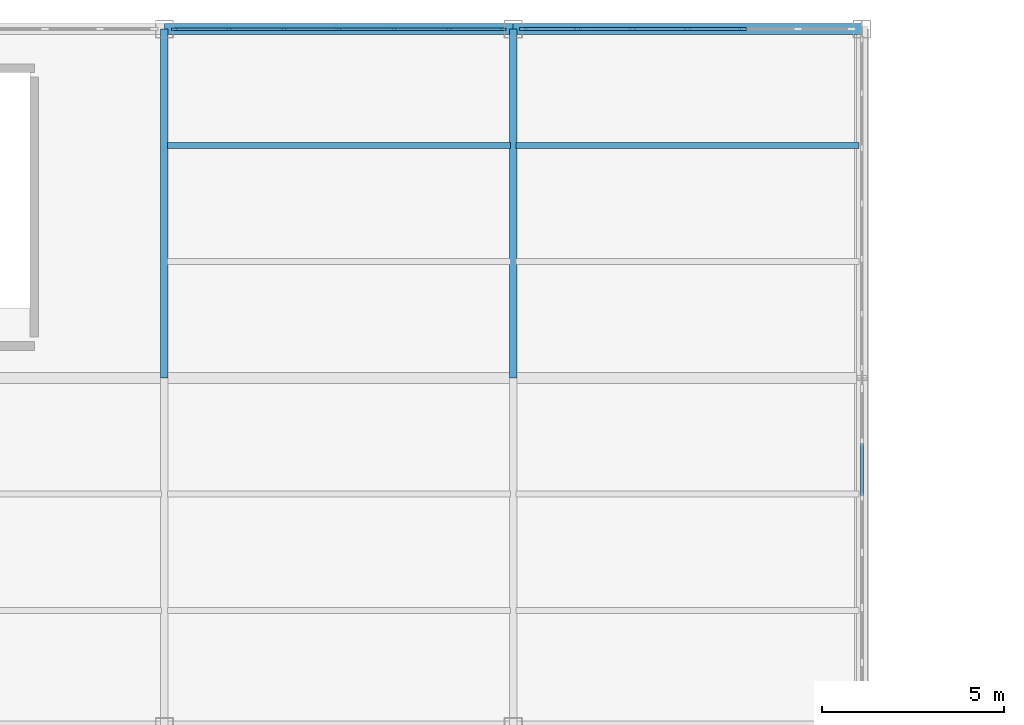
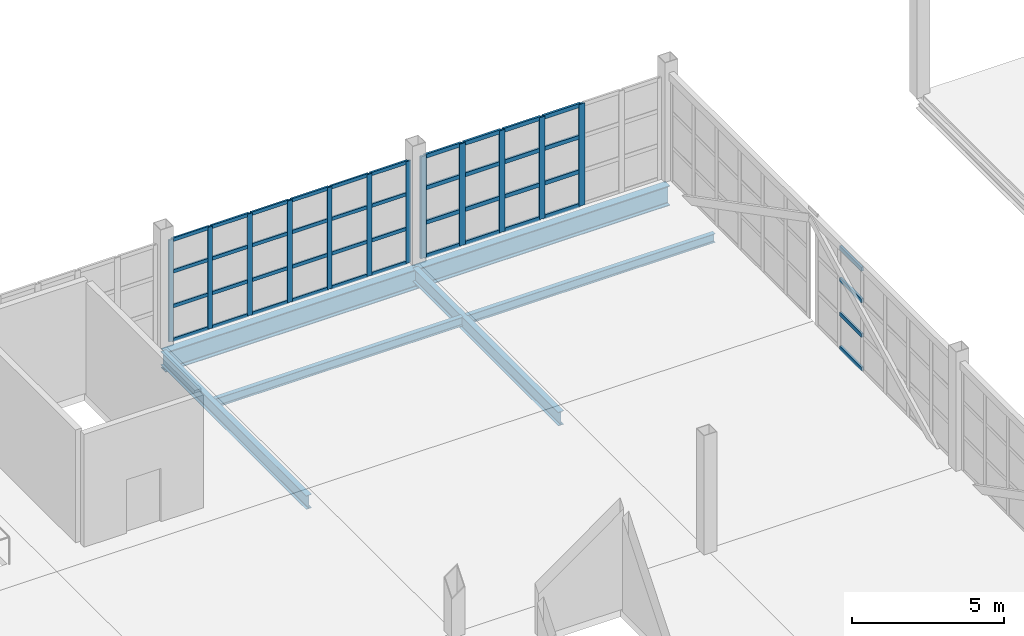
# One storey, part 56 of 120: 56 members, 6 beams, 3 elements without a shape of their own.
"""IFC4 building model written with IfcOpenShell, lengths in metres."""

from ifc_helpers import new_model, si_unit, direction, frame, origin, origin_2d, place, context, subcontext, project, spatial, rectangle, i_section, extrude, material, layer, layer_set, material_profile, profile_set, type_object, element, aggregate, save


model = new_model("IFC4")

# Units and contexts
model_context = context("Model", 3, precision=1e-05, world=origin(), true_north=direction((0.0, 1.0)))
body_context = subcontext(model_context, "Body", "Model", "MODEL_VIEW")
ifc_project = project(units=[si_unit("LENGTHUNIT", "METRE"), si_unit("AREAUNIT", "SQUARE_METRE"), si_unit("VOLUMEUNIT", "CUBIC_METRE"), si_unit("PLANEANGLEUNIT", "RADIAN"), si_unit("MASSUNIT", "GRAM", prefix="KILO")], contexts=[model_context])

# Site, building, storey
site_placement = place(None, origin())
site = spatial("IfcSite", under=ifc_project, at=site_placement, CompositionType="ELEMENT")
building_placement = place(site_placement, origin())
building = spatial("IfcBuilding", under=site, at=building_placement, Name="Zarnetskaya Central Station", CompositionType="ELEMENT")
storey_placement = place(building_placement, frame((0.0, 0.0, 5.39990234375)))
storey = spatial("IfcBuildingStorey", under=building, at=storey_placement, Name="L01", CompositionType="ELEMENT", Elevation=5.39990234375)

# Beams
ifc_material_1 = material(Name="Steel S355", Category="steel")
ifc_material_profile_1 = material_profile(ifc_material_1, i_section(OverallWidth=0.169921875, OverallDepth=0.360107421875, WebThickness=0.008056640625, FlangeThickness=0.0126953125, FilletRadius=0.01806640625, at=origin_2d()), Name="IPE 360")
ifc_profile_set_1 = profile_set([ifc_material_profile_1], Name="Steel S355")
beam_type_1 = type_object("IfcBeamType", Name="BM-SEC-360", PredefinedType="BEAM", material=ifc_profile_set_1)
beam_1_placement = place(storey_placement, frame((96.080078125, 121.60009765625, -0.4599609375), z_axis=(1.0, 0.0, 0.0), x_axis=(0.0, 1.0, 0.0)))
element("IfcBeam", 1, at=beam_1_placement, inside=storey, type_object=beam_type_1, Name="Secondary floor beam SEC-L01-Z512-LM-1415-2", PredefinedType="BEAM", context=body_context, shape_type="SweptSolid", body=[
    extrude(i_section(OverallWidth=0.169921875, OverallDepth=0.360107421875, WebThickness=0.008056640625, FlangeThickness=0.0126953125, FilletRadius=0.01806640625, at=origin_2d()), origin(), (0.0, 0.0, 1.0), 9.43994140625),
])
beam_2_placement = place(storey_placement, frame((105.679931640625, 121.60009765625, -0.4599609375), z_axis=(1.0, 0.0, 0.0), x_axis=(0.0, 1.0, 0.0)))
element("IfcBeam", 2, at=beam_2_placement, inside=storey, type_object=beam_type_1, Name="Secondary floor beam SEC-L01-Z512-MN-1415-2", PredefinedType="BEAM", context=body_context, shape_type="SweptSolid", body=[
    extrude(i_section(OverallWidth=0.169921875, OverallDepth=0.360107421875, WebThickness=0.008056640625, FlangeThickness=0.0126953125, FilletRadius=0.01806640625, at=origin_2d()), origin(), (0.0, 0.0, 1.0), 9.440185546875),
])

# Curtain wall, members
ifc_material_2 = material(Name="Low-E insulated glass", Category="glass")
ifc_layer = layer(ifc_material_2, 0.172119140625, Name="Low-E insulated glass", Category="glass")
ifc_layer_set = layer_set([ifc_layer], Name="Low-E insulated glass")
curtain_wall_type = type_object("IfcCurtainWallType", Name="CW-SYS-09", PredefinedType="USERDEFINED", material=ifc_layer_set)
curtain_wall_1_placement = place(storey_placement, origin())
curtain_wall_1 = element("IfcCurtainWall", 3, at=curtain_wall_1_placement, inside=storey, type_object=curtain_wall_type, Name="Curtain wall CW-L01-155", ObjectType="CURTAIN WALL", PredefinedType="USERDEFINED")
ifc_material_3 = material(Name="Anodised aluminium", Category="aluminium")
ifc_material_profile_2 = material_profile(ifc_material_3, rectangle(XDim=0.070068359375, YDim=0.179931640625, at=origin_2d()), Name="ALU MULL 70x180")
ifc_profile_set_2 = profile_set([ifc_material_profile_2], Name="Anodised aluminium")
member_type_1 = type_object("IfcMemberType", Name="CW-MULL-180", PredefinedType="MULLION", material=ifc_profile_set_2)
member_1_placement = place(storey_placement, frame((96.284912109375, 124.800048828125, 0.0), z_axis=(0.0, 0.0, 1.0), x_axis=(0.0, 1.0, 0.0)))
member_1 = element("IfcMember", 4, at=member_1_placement, type_object=member_type_1, Name="CW-07 mullion 1", PredefinedType="MULLION", context=body_context, shape_type="SweptSolid", body=[
    extrude(rectangle(XDim=0.070068359375, YDim=0.179931640625, at=origin_2d()), origin(), (0.0, 0.0, 1.0), 4.10009765625),
])
member_2_placement = place(storey_placement, frame((97.7666015625, 124.800048828125, 0.0), z_axis=(0.0, 0.0, 1.0), x_axis=(0.0, 1.0, 0.0)))
member_2 = element("IfcMember", 5, at=member_2_placement, type_object=member_type_1, Name="CW-07 mullion 2", PredefinedType="MULLION", context=body_context, shape_type="SweptSolid", body=[
    extrude(rectangle(XDim=0.070068359375, YDim=0.179931640625, at=origin_2d()), origin(), (0.0, 0.0, 1.0), 4.10009765625),
])
member_3_placement = place(storey_placement, frame((99.283447265625, 124.800048828125, 0.0), z_axis=(0.0, 0.0, 1.0), x_axis=(0.0, 1.0, 0.0)))
member_3 = element("IfcMember", 6, at=member_3_placement, type_object=member_type_1, Name="CW-07 mullion 3", PredefinedType="MULLION", context=body_context, shape_type="SweptSolid", body=[
    extrude(rectangle(XDim=0.070068359375, YDim=0.179931640625, at=origin_2d()), origin(), (0.0, 0.0, 1.0), 4.10009765625),
])
member_4_placement = place(storey_placement, frame((100.800048828125, 124.800048828125, 0.0), z_axis=(0.0, 0.0, 1.0), x_axis=(0.0, 1.0, 0.0)))
member_4 = element("IfcMember", 7, at=member_4_placement, type_object=member_type_1, Name="CW-07 mullion 4", PredefinedType="MULLION", context=body_context, shape_type="SweptSolid", body=[
    extrude(rectangle(XDim=0.070068359375, YDim=0.179931640625, at=origin_2d()), origin(), (0.0, 0.0, 1.0), 4.10009765625),
])
member_5_placement = place(storey_placement, frame((102.316650390625, 124.800048828125, 0.0), z_axis=(0.0, 0.0, 1.0), x_axis=(0.0, 1.0, 0.0)))
member_5 = element("IfcMember", 8, at=member_5_placement, type_object=member_type_1, Name="CW-07 mullion 5", PredefinedType="MULLION", context=body_context, shape_type="SweptSolid", body=[
    extrude(rectangle(XDim=0.070068359375, YDim=0.179931640625, at=origin_2d()), origin(), (0.0, 0.0, 1.0), 4.10009765625),
])
member_6_placement = place(storey_placement, frame((103.833251953125, 124.800048828125, 0.0), z_axis=(0.0, 0.0, 1.0), x_axis=(0.0, 1.0, 0.0)))
member_6 = element("IfcMember", 9, at=member_6_placement, type_object=member_type_1, Name="CW-07 mullion 6", PredefinedType="MULLION", context=body_context, shape_type="SweptSolid", body=[
    extrude(rectangle(XDim=0.070068359375, YDim=0.179931640625, at=origin_2d()), origin(), (0.0, 0.0, 1.0), 4.10009765625),
])
member_7_placement = place(storey_placement, frame((105.31494140625, 124.800048828125, 0.0), z_axis=(0.0, 0.0, 1.0), x_axis=(0.0, 1.0, 0.0)))
member_7 = element("IfcMember", 10, at=member_7_placement, type_object=member_type_1, Name="CW-07 mullion 7", PredefinedType="MULLION", context=body_context, shape_type="SweptSolid", body=[
    extrude(rectangle(XDim=0.070068359375, YDim=0.179931640625, at=origin_2d()), origin(), (0.0, 0.0, 1.0), 4.10009765625),
])

curtain_wall_2_placement = place(storey_placement, origin())
curtain_wall_2 = element("IfcCurtainWall", 11, at=curtain_wall_2_placement, inside=storey, type_object=curtain_wall_type, Name="Curtain wall CW-L01-156", ObjectType="CURTAIN WALL", PredefinedType="USERDEFINED")
ifc_material_profile_3 = material_profile(ifc_material_3, rectangle(XDim=0.080078125, YDim=0.219970703125, at=origin_2d()), Name="ALU MULL 80x220")
ifc_profile_set_3 = profile_set([ifc_material_profile_3], Name="Anodised aluminium")
member_type_2 = type_object("IfcMemberType", Name="CW-MULL-220", PredefinedType="MULLION", material=ifc_profile_set_3)
member_8_placement = place(storey_placement, frame((105.889892578125, 124.800048828125, 0.0), z_axis=(0.0, 0.0, 1.0), x_axis=(0.0, 1.0, 0.0)))
member_8 = element("IfcMember", 12, at=member_8_placement, type_object=member_type_2, Name="CW-07 mullion 1", PredefinedType="MULLION", context=body_context, shape_type="SweptSolid", body=[
    extrude(rectangle(XDim=0.080078125, YDim=0.219970703125, at=origin_2d()), origin(), (0.0, 0.0, 1.0), 4.10009765625),
])
member_9_placement = place(storey_placement, frame((107.36669921875, 124.800048828125, 0.0), z_axis=(0.0, 0.0, 1.0), x_axis=(0.0, 1.0, 0.0)))
member_9 = element("IfcMember", 13, at=member_9_placement, type_object=member_type_2, Name="CW-07 mullion 2", PredefinedType="MULLION", context=body_context, shape_type="SweptSolid", body=[
    extrude(rectangle(XDim=0.080078125, YDim=0.219970703125, at=origin_2d()), origin(), (0.0, 0.0, 1.0), 4.10009765625),
])
member_10_placement = place(storey_placement, frame((108.88330078125, 124.800048828125, 0.0), z_axis=(0.0, 0.0, 1.0), x_axis=(0.0, 1.0, 0.0)))
member_10 = element("IfcMember", 14, at=member_10_placement, type_object=member_type_2, Name="CW-07 mullion 3", PredefinedType="MULLION", context=body_context, shape_type="SweptSolid", body=[
    extrude(rectangle(XDim=0.080078125, YDim=0.219970703125, at=origin_2d()), origin(), (0.0, 0.0, 1.0), 4.10009765625),
])
member_11_placement = place(storey_placement, frame((110.39990234375, 124.800048828125, 0.0), z_axis=(0.0, 0.0, 1.0), x_axis=(0.0, 1.0, 0.0)))
member_11 = element("IfcMember", 15, at=member_11_placement, type_object=member_type_2, Name="CW-07 mullion 4", PredefinedType="MULLION", context=body_context, shape_type="SweptSolid", body=[
    extrude(rectangle(XDim=0.080078125, YDim=0.219970703125, at=origin_2d()), origin(), (0.0, 0.0, 1.0), 4.10009765625),
])
member_12_placement = place(storey_placement, frame((111.916748046875, 124.800048828125, 0.0), z_axis=(0.0, 0.0, 1.0), x_axis=(0.0, 1.0, 0.0)))
member_12 = element("IfcMember", 16, at=member_12_placement, type_object=member_type_2, Name="CW-07 mullion 5", PredefinedType="MULLION", context=body_context, shape_type="SweptSolid", body=[
    extrude(rectangle(XDim=0.080078125, YDim=0.219970703125, at=origin_2d()), origin(), (0.0, 0.0, 1.0), 4.10009765625),
])

# Member
ifc_material_profile_4 = material_profile(ifc_material_3, rectangle(XDim=0.070068359375, YDim=0.139892578125, at=origin_2d()), Name="ALU TRAN 70x140")
ifc_profile_set_4 = profile_set([ifc_material_profile_4], Name="Anodised aluminium")
member_type_3 = type_object("IfcMemberType", Name="CW-TRAN-140", PredefinedType="USERDEFINED", material=ifc_profile_set_4)
member_13_placement = place(storey_placement, frame((96.320068359375, 124.800048828125, 0.03515625), z_axis=(1.0, 0.0, 0.0), x_axis=(0.0, 1.0, 0.0)))
member_13 = element("IfcMember", 17, at=member_13_placement, type_object=member_type_3, Name="CW-07 transom 1.1", ObjectType="TRANSOM", PredefinedType="USERDEFINED", context=body_context, shape_type="SweptSolid", body=[
    extrude(rectangle(XDim=0.070068359375, YDim=0.139892578125, at=origin_2d()), origin(), (0.0, 0.0, 1.0), 1.41162109375),
])

member_14_placement = place(storey_placement, frame((96.320068359375, 124.800048828125, 1.39404296875), z_axis=(1.0, 0.0, 0.0), x_axis=(0.0, 1.0, 0.0)))
member_14 = element("IfcMember", 18, at=member_14_placement, type_object=member_type_3, Name="CW-07 transom 1.2", ObjectType="TRANSOM", PredefinedType="USERDEFINED", context=body_context, shape_type="SweptSolid", body=[
    extrude(rectangle(XDim=0.070068359375, YDim=0.139892578125, at=origin_2d()), origin(), (0.0, 0.0, 1.0), 1.41162109375),
])

member_15_placement = place(storey_placement, frame((96.320068359375, 124.800048828125, 2.7880859375), z_axis=(1.0, 0.0, 0.0), x_axis=(0.0, 1.0, 0.0)))
member_15 = element("IfcMember", 19, at=member_15_placement, type_object=member_type_3, Name="CW-07 transom 1.3", ObjectType="TRANSOM", PredefinedType="USERDEFINED", context=body_context, shape_type="SweptSolid", body=[
    extrude(rectangle(XDim=0.070068359375, YDim=0.139892578125, at=origin_2d()), origin(), (0.0, 0.0, 1.0), 1.41162109375),
])

member_16_placement = place(storey_placement, frame((96.320068359375, 124.800048828125, 4.065185546875), z_axis=(1.0, 0.0, 0.0), x_axis=(0.0, 1.0, 0.0)))
member_16 = element("IfcMember", 20, at=member_16_placement, type_object=member_type_3, Name="CW-07 transom 1.4", ObjectType="TRANSOM", PredefinedType="USERDEFINED", context=body_context, shape_type="SweptSolid", body=[
    extrude(rectangle(XDim=0.070068359375, YDim=0.139892578125, at=origin_2d()), origin(), (0.0, 0.0, 1.0), 1.41162109375),
])

member_17_placement = place(storey_placement, frame((97.8017578125, 124.800048828125, 0.03515625), z_axis=(1.0, 0.0, 0.0), x_axis=(0.0, 1.0, 0.0)))
member_17 = element("IfcMember", 21, at=member_17_placement, type_object=member_type_3, Name="CW-07 transom 2.1", ObjectType="TRANSOM", PredefinedType="USERDEFINED", context=body_context, shape_type="SweptSolid", body=[
    extrude(rectangle(XDim=0.070068359375, YDim=0.139892578125, at=origin_2d()), origin(), (0.0, 0.0, 1.0), 1.446533203125),
])

member_18_placement = place(storey_placement, frame((97.8017578125, 124.800048828125, 1.39404296875), z_axis=(1.0, 0.0, 0.0), x_axis=(0.0, 1.0, 0.0)))
member_18 = element("IfcMember", 22, at=member_18_placement, type_object=member_type_3, Name="CW-07 transom 2.2", ObjectType="TRANSOM", PredefinedType="USERDEFINED", context=body_context, shape_type="SweptSolid", body=[
    extrude(rectangle(XDim=0.070068359375, YDim=0.139892578125, at=origin_2d()), origin(), (0.0, 0.0, 1.0), 1.446533203125),
])

member_19_placement = place(storey_placement, frame((97.8017578125, 124.800048828125, 2.7880859375), z_axis=(1.0, 0.0, 0.0), x_axis=(0.0, 1.0, 0.0)))
member_19 = element("IfcMember", 23, at=member_19_placement, type_object=member_type_3, Name="CW-07 transom 2.3", ObjectType="TRANSOM", PredefinedType="USERDEFINED", context=body_context, shape_type="SweptSolid", body=[
    extrude(rectangle(XDim=0.070068359375, YDim=0.139892578125, at=origin_2d()), origin(), (0.0, 0.0, 1.0), 1.446533203125),
])

member_20_placement = place(storey_placement, frame((97.8017578125, 124.800048828125, 4.065185546875), z_axis=(1.0, 0.0, 0.0), x_axis=(0.0, 1.0, 0.0)))
member_20 = element("IfcMember", 24, at=member_20_placement, type_object=member_type_3, Name="CW-07 transom 2.4", ObjectType="TRANSOM", PredefinedType="USERDEFINED", context=body_context, shape_type="SweptSolid", body=[
    extrude(rectangle(XDim=0.070068359375, YDim=0.139892578125, at=origin_2d()), origin(), (0.0, 0.0, 1.0), 1.446533203125),
])

member_21_placement = place(storey_placement, frame((99.318359375, 124.800048828125, 0.03515625), z_axis=(1.0, 0.0, 0.0), x_axis=(0.0, 1.0, 0.0)))
member_21 = element("IfcMember", 25, at=member_21_placement, type_object=member_type_3, Name="CW-07 transom 3.1", ObjectType="TRANSOM", PredefinedType="USERDEFINED", context=body_context, shape_type="SweptSolid", body=[
    extrude(rectangle(XDim=0.070068359375, YDim=0.139892578125, at=origin_2d()), origin(), (0.0, 0.0, 1.0), 1.446533203125),
])

member_22_placement = place(storey_placement, frame((99.318359375, 124.800048828125, 1.39404296875), z_axis=(1.0, 0.0, 0.0), x_axis=(0.0, 1.0, 0.0)))
member_22 = element("IfcMember", 26, at=member_22_placement, type_object=member_type_3, Name="CW-07 transom 3.2", ObjectType="TRANSOM", PredefinedType="USERDEFINED", context=body_context, shape_type="SweptSolid", body=[
    extrude(rectangle(XDim=0.070068359375, YDim=0.139892578125, at=origin_2d()), origin(), (0.0, 0.0, 1.0), 1.446533203125),
])

member_23_placement = place(storey_placement, frame((99.318359375, 124.800048828125, 2.7880859375), z_axis=(1.0, 0.0, 0.0), x_axis=(0.0, 1.0, 0.0)))
member_23 = element("IfcMember", 27, at=member_23_placement, type_object=member_type_3, Name="CW-07 transom 3.3", ObjectType="TRANSOM", PredefinedType="USERDEFINED", context=body_context, shape_type="SweptSolid", body=[
    extrude(rectangle(XDim=0.070068359375, YDim=0.139892578125, at=origin_2d()), origin(), (0.0, 0.0, 1.0), 1.446533203125),
])

member_24_placement = place(storey_placement, frame((99.318359375, 124.800048828125, 4.065185546875), z_axis=(1.0, 0.0, 0.0), x_axis=(0.0, 1.0, 0.0)))
member_24 = element("IfcMember", 28, at=member_24_placement, type_object=member_type_3, Name="CW-07 transom 3.4", ObjectType="TRANSOM", PredefinedType="USERDEFINED", context=body_context, shape_type="SweptSolid", body=[
    extrude(rectangle(XDim=0.070068359375, YDim=0.139892578125, at=origin_2d()), origin(), (0.0, 0.0, 1.0), 1.446533203125),
])

member_25_placement = place(storey_placement, frame((100.8349609375, 124.800048828125, 0.03515625), z_axis=(1.0, 0.0, 0.0), x_axis=(0.0, 1.0, 0.0)))
member_25 = element("IfcMember", 29, at=member_25_placement, type_object=member_type_3, Name="CW-07 transom 4.1", ObjectType="TRANSOM", PredefinedType="USERDEFINED", context=body_context, shape_type="SweptSolid", body=[
    extrude(rectangle(XDim=0.070068359375, YDim=0.139892578125, at=origin_2d()), origin(), (0.0, 0.0, 1.0), 1.44677734375),
])

member_26_placement = place(storey_placement, frame((100.8349609375, 124.800048828125, 1.39404296875), z_axis=(1.0, 0.0, 0.0), x_axis=(0.0, 1.0, 0.0)))
member_26 = element("IfcMember", 30, at=member_26_placement, type_object=member_type_3, Name="CW-07 transom 4.2", ObjectType="TRANSOM", PredefinedType="USERDEFINED", context=body_context, shape_type="SweptSolid", body=[
    extrude(rectangle(XDim=0.070068359375, YDim=0.139892578125, at=origin_2d()), origin(), (0.0, 0.0, 1.0), 1.44677734375),
])

member_27_placement = place(storey_placement, frame((100.8349609375, 124.800048828125, 2.7880859375), z_axis=(1.0, 0.0, 0.0), x_axis=(0.0, 1.0, 0.0)))
member_27 = element("IfcMember", 31, at=member_27_placement, type_object=member_type_3, Name="CW-07 transom 4.3", ObjectType="TRANSOM", PredefinedType="USERDEFINED", context=body_context, shape_type="SweptSolid", body=[
    extrude(rectangle(XDim=0.070068359375, YDim=0.139892578125, at=origin_2d()), origin(), (0.0, 0.0, 1.0), 1.44677734375),
])

member_28_placement = place(storey_placement, frame((100.8349609375, 124.800048828125, 4.065185546875), z_axis=(1.0, 0.0, 0.0), x_axis=(0.0, 1.0, 0.0)))
member_28 = element("IfcMember", 32, at=member_28_placement, type_object=member_type_3, Name="CW-07 transom 4.4", ObjectType="TRANSOM", PredefinedType="USERDEFINED", context=body_context, shape_type="SweptSolid", body=[
    extrude(rectangle(XDim=0.070068359375, YDim=0.139892578125, at=origin_2d()), origin(), (0.0, 0.0, 1.0), 1.44677734375),
])

member_29_placement = place(storey_placement, frame((102.3515625, 124.800048828125, 0.03515625), z_axis=(1.0, 0.0, 0.0), x_axis=(0.0, 1.0, 0.0)))
member_29 = element("IfcMember", 33, at=member_29_placement, type_object=member_type_3, Name="CW-07 transom 5.1", ObjectType="TRANSOM", PredefinedType="USERDEFINED", context=body_context, shape_type="SweptSolid", body=[
    extrude(rectangle(XDim=0.070068359375, YDim=0.139892578125, at=origin_2d()), origin(), (0.0, 0.0, 1.0), 1.44677734375),
])

member_30_placement = place(storey_placement, frame((102.3515625, 124.800048828125, 1.39404296875), z_axis=(1.0, 0.0, 0.0), x_axis=(0.0, 1.0, 0.0)))
member_30 = element("IfcMember", 34, at=member_30_placement, type_object=member_type_3, Name="CW-07 transom 5.2", ObjectType="TRANSOM", PredefinedType="USERDEFINED", context=body_context, shape_type="SweptSolid", body=[
    extrude(rectangle(XDim=0.070068359375, YDim=0.139892578125, at=origin_2d()), origin(), (0.0, 0.0, 1.0), 1.44677734375),
])

member_31_placement = place(storey_placement, frame((102.3515625, 124.800048828125, 2.7880859375), z_axis=(1.0, 0.0, 0.0), x_axis=(0.0, 1.0, 0.0)))
member_31 = element("IfcMember", 35, at=member_31_placement, type_object=member_type_3, Name="CW-07 transom 5.3", ObjectType="TRANSOM", PredefinedType="USERDEFINED", context=body_context, shape_type="SweptSolid", body=[
    extrude(rectangle(XDim=0.070068359375, YDim=0.139892578125, at=origin_2d()), origin(), (0.0, 0.0, 1.0), 1.44677734375),
])

member_32_placement = place(storey_placement, frame((102.3515625, 124.800048828125, 4.065185546875), z_axis=(1.0, 0.0, 0.0), x_axis=(0.0, 1.0, 0.0)))
member_32 = element("IfcMember", 36, at=member_32_placement, type_object=member_type_3, Name="CW-07 transom 5.4", ObjectType="TRANSOM", PredefinedType="USERDEFINED", context=body_context, shape_type="SweptSolid", body=[
    extrude(rectangle(XDim=0.070068359375, YDim=0.139892578125, at=origin_2d()), origin(), (0.0, 0.0, 1.0), 1.44677734375),
])

member_33_placement = place(storey_placement, frame((103.868408203125, 124.800048828125, 0.03515625), z_axis=(1.0, 0.0, 0.0), x_axis=(0.0, 1.0, 0.0)))
member_33 = element("IfcMember", 37, at=member_33_placement, type_object=member_type_3, Name="CW-07 transom 6.1", ObjectType="TRANSOM", PredefinedType="USERDEFINED", context=body_context, shape_type="SweptSolid", body=[
    extrude(rectangle(XDim=0.070068359375, YDim=0.139892578125, at=origin_2d()), origin(), (0.0, 0.0, 1.0), 1.41162109375),
])

member_34_placement = place(storey_placement, frame((103.868408203125, 124.800048828125, 1.39404296875), z_axis=(1.0, 0.0, 0.0), x_axis=(0.0, 1.0, 0.0)))
member_34 = element("IfcMember", 38, at=member_34_placement, type_object=member_type_3, Name="CW-07 transom 6.2", ObjectType="TRANSOM", PredefinedType="USERDEFINED", context=body_context, shape_type="SweptSolid", body=[
    extrude(rectangle(XDim=0.070068359375, YDim=0.139892578125, at=origin_2d()), origin(), (0.0, 0.0, 1.0), 1.41162109375),
])

member_35_placement = place(storey_placement, frame((103.868408203125, 124.800048828125, 2.7880859375), z_axis=(1.0, 0.0, 0.0), x_axis=(0.0, 1.0, 0.0)))
member_35 = element("IfcMember", 39, at=member_35_placement, type_object=member_type_3, Name="CW-07 transom 6.3", ObjectType="TRANSOM", PredefinedType="USERDEFINED", context=body_context, shape_type="SweptSolid", body=[
    extrude(rectangle(XDim=0.070068359375, YDim=0.139892578125, at=origin_2d()), origin(), (0.0, 0.0, 1.0), 1.41162109375),
])

member_36_placement = place(storey_placement, frame((103.868408203125, 124.800048828125, 4.065185546875), z_axis=(1.0, 0.0, 0.0), x_axis=(0.0, 1.0, 0.0)))
member_36 = element("IfcMember", 40, at=member_36_placement, type_object=member_type_3, Name="CW-07 transom 6.4", ObjectType="TRANSOM", PredefinedType="USERDEFINED", context=body_context, shape_type="SweptSolid", body=[
    extrude(rectangle(XDim=0.070068359375, YDim=0.139892578125, at=origin_2d()), origin(), (0.0, 0.0, 1.0), 1.41162109375),
])

aggregate(curtain_wall_1, [member_1, member_2, member_3, member_4, member_5, member_6, member_7, member_13, member_14, member_15, member_16, member_17, member_18, member_19, member_20, member_21, member_22, member_23, member_24, member_25, member_26, member_27, member_28, member_29, member_30, member_31, member_32, member_33, member_34, member_35, member_36])

ifc_material_profile_5 = material_profile(ifc_material_3, rectangle(XDim=0.080078125, YDim=0.159912109375, at=origin_2d()), Name="ALU TRAN 80x160")
ifc_profile_set_5 = profile_set([ifc_material_profile_5], Name="Anodised aluminium")
member_type_4 = type_object("IfcMemberType", Name="CW-TRAN-160", PredefinedType="USERDEFINED", material=ifc_profile_set_5)
member_37_placement = place(storey_placement, frame((105.929931640625, 124.800048828125, 0.0400390625), z_axis=(1.0, 0.0, 0.0), x_axis=(0.0, 1.0, 0.0)))
member_37 = element("IfcMember", 41, at=member_37_placement, type_object=member_type_4, Name="CW-07 transom 1.1", ObjectType="TRANSOM", PredefinedType="USERDEFINED", context=body_context, shape_type="SweptSolid", body=[
    extrude(rectangle(XDim=0.080078125, YDim=0.159912109375, at=origin_2d()), origin(), (0.0, 0.0, 1.0), 1.396728515625),
])

member_38_placement = place(storey_placement, frame((105.929931640625, 124.800048828125, 1.39404296875), z_axis=(1.0, 0.0, 0.0), x_axis=(0.0, 1.0, 0.0)))
member_38 = element("IfcMember", 42, at=member_38_placement, type_object=member_type_4, Name="CW-07 transom 1.2", ObjectType="TRANSOM", PredefinedType="USERDEFINED", context=body_context, shape_type="SweptSolid", body=[
    extrude(rectangle(XDim=0.080078125, YDim=0.159912109375, at=origin_2d()), origin(), (0.0, 0.0, 1.0), 1.396728515625),
])

member_39_placement = place(storey_placement, frame((105.929931640625, 124.800048828125, 2.7880859375), z_axis=(1.0, 0.0, 0.0), x_axis=(0.0, 1.0, 0.0)))
member_39 = element("IfcMember", 43, at=member_39_placement, type_object=member_type_4, Name="CW-07 transom 1.3", ObjectType="TRANSOM", PredefinedType="USERDEFINED", context=body_context, shape_type="SweptSolid", body=[
    extrude(rectangle(XDim=0.080078125, YDim=0.159912109375, at=origin_2d()), origin(), (0.0, 0.0, 1.0), 1.396728515625),
])

member_40_placement = place(storey_placement, frame((105.929931640625, 124.800048828125, 4.06005859375), z_axis=(1.0, 0.0, 0.0), x_axis=(0.0, 1.0, 0.0)))
member_40 = element("IfcMember", 44, at=member_40_placement, type_object=member_type_4, Name="CW-07 transom 1.4", ObjectType="TRANSOM", PredefinedType="USERDEFINED", context=body_context, shape_type="SweptSolid", body=[
    extrude(rectangle(XDim=0.080078125, YDim=0.159912109375, at=origin_2d()), origin(), (0.0, 0.0, 1.0), 1.396728515625),
])

member_41_placement = place(storey_placement, frame((107.40673828125, 124.800048828125, 0.0400390625), z_axis=(1.0, 0.0, 0.0), x_axis=(0.0, 1.0, 0.0)))
member_41 = element("IfcMember", 45, at=member_41_placement, type_object=member_type_4, Name="CW-07 transom 2.1", ObjectType="TRANSOM", PredefinedType="USERDEFINED", context=body_context, shape_type="SweptSolid", body=[
    extrude(rectangle(XDim=0.080078125, YDim=0.159912109375, at=origin_2d()), origin(), (0.0, 0.0, 1.0), 1.4365234375),
])

member_42_placement = place(storey_placement, frame((107.40673828125, 124.800048828125, 1.39404296875), z_axis=(1.0, 0.0, 0.0), x_axis=(0.0, 1.0, 0.0)))
member_42 = element("IfcMember", 46, at=member_42_placement, type_object=member_type_4, Name="CW-07 transom 2.2", ObjectType="TRANSOM", PredefinedType="USERDEFINED", context=body_context, shape_type="SweptSolid", body=[
    extrude(rectangle(XDim=0.080078125, YDim=0.159912109375, at=origin_2d()), origin(), (0.0, 0.0, 1.0), 1.4365234375),
])

member_43_placement = place(storey_placement, frame((107.40673828125, 124.800048828125, 2.7880859375), z_axis=(1.0, 0.0, 0.0), x_axis=(0.0, 1.0, 0.0)))
member_43 = element("IfcMember", 47, at=member_43_placement, type_object=member_type_4, Name="CW-07 transom 2.3", ObjectType="TRANSOM", PredefinedType="USERDEFINED", context=body_context, shape_type="SweptSolid", body=[
    extrude(rectangle(XDim=0.080078125, YDim=0.159912109375, at=origin_2d()), origin(), (0.0, 0.0, 1.0), 1.4365234375),
])

member_44_placement = place(storey_placement, frame((107.40673828125, 124.800048828125, 4.06005859375), z_axis=(1.0, 0.0, 0.0), x_axis=(0.0, 1.0, 0.0)))
member_44 = element("IfcMember", 48, at=member_44_placement, type_object=member_type_4, Name="CW-07 transom 2.4", ObjectType="TRANSOM", PredefinedType="USERDEFINED", context=body_context, shape_type="SweptSolid", body=[
    extrude(rectangle(XDim=0.080078125, YDim=0.159912109375, at=origin_2d()), origin(), (0.0, 0.0, 1.0), 1.4365234375),
])

member_45_placement = place(storey_placement, frame((108.92333984375, 124.800048828125, 0.0400390625), z_axis=(1.0, 0.0, 0.0), x_axis=(0.0, 1.0, 0.0)))
member_45 = element("IfcMember", 49, at=member_45_placement, type_object=member_type_4, Name="CW-07 transom 3.1", ObjectType="TRANSOM", PredefinedType="USERDEFINED", context=body_context, shape_type="SweptSolid", body=[
    extrude(rectangle(XDim=0.080078125, YDim=0.159912109375, at=origin_2d()), origin(), (0.0, 0.0, 1.0), 1.436767578125),
])

member_46_placement = place(storey_placement, frame((108.92333984375, 124.800048828125, 1.39404296875), z_axis=(1.0, 0.0, 0.0), x_axis=(0.0, 1.0, 0.0)))
member_46 = element("IfcMember", 50, at=member_46_placement, type_object=member_type_4, Name="CW-07 transom 3.2", ObjectType="TRANSOM", PredefinedType="USERDEFINED", context=body_context, shape_type="SweptSolid", body=[
    extrude(rectangle(XDim=0.080078125, YDim=0.159912109375, at=origin_2d()), origin(), (0.0, 0.0, 1.0), 1.436767578125),
])

member_47_placement = place(storey_placement, frame((108.92333984375, 124.800048828125, 2.7880859375), z_axis=(1.0, 0.0, 0.0), x_axis=(0.0, 1.0, 0.0)))
member_47 = element("IfcMember", 51, at=member_47_placement, type_object=member_type_4, Name="CW-07 transom 3.3", ObjectType="TRANSOM", PredefinedType="USERDEFINED", context=body_context, shape_type="SweptSolid", body=[
    extrude(rectangle(XDim=0.080078125, YDim=0.159912109375, at=origin_2d()), origin(), (0.0, 0.0, 1.0), 1.436767578125),
])

member_48_placement = place(storey_placement, frame((108.92333984375, 124.800048828125, 4.06005859375), z_axis=(1.0, 0.0, 0.0), x_axis=(0.0, 1.0, 0.0)))
member_48 = element("IfcMember", 52, at=member_48_placement, type_object=member_type_4, Name="CW-07 transom 3.4", ObjectType="TRANSOM", PredefinedType="USERDEFINED", context=body_context, shape_type="SweptSolid", body=[
    extrude(rectangle(XDim=0.080078125, YDim=0.159912109375, at=origin_2d()), origin(), (0.0, 0.0, 1.0), 1.436767578125),
])

member_49_placement = place(storey_placement, frame((110.43994140625, 124.800048828125, 0.0400390625), z_axis=(1.0, 0.0, 0.0), x_axis=(0.0, 1.0, 0.0)))
member_49 = element("IfcMember", 53, at=member_49_placement, type_object=member_type_4, Name="CW-07 transom 4.1", ObjectType="TRANSOM", PredefinedType="USERDEFINED", context=body_context, shape_type="SweptSolid", body=[
    extrude(rectangle(XDim=0.080078125, YDim=0.159912109375, at=origin_2d()), origin(), (0.0, 0.0, 1.0), 1.436767578125),
])

member_50_placement = place(storey_placement, frame((110.43994140625, 124.800048828125, 1.39404296875), z_axis=(1.0, 0.0, 0.0), x_axis=(0.0, 1.0, 0.0)))
member_50 = element("IfcMember", 54, at=member_50_placement, type_object=member_type_4, Name="CW-07 transom 4.2", ObjectType="TRANSOM", PredefinedType="USERDEFINED", context=body_context, shape_type="SweptSolid", body=[
    extrude(rectangle(XDim=0.080078125, YDim=0.159912109375, at=origin_2d()), origin(), (0.0, 0.0, 1.0), 1.436767578125),
])

member_51_placement = place(storey_placement, frame((110.43994140625, 124.800048828125, 2.7880859375), z_axis=(1.0, 0.0, 0.0), x_axis=(0.0, 1.0, 0.0)))
member_51 = element("IfcMember", 55, at=member_51_placement, type_object=member_type_4, Name="CW-07 transom 4.3", ObjectType="TRANSOM", PredefinedType="USERDEFINED", context=body_context, shape_type="SweptSolid", body=[
    extrude(rectangle(XDim=0.080078125, YDim=0.159912109375, at=origin_2d()), origin(), (0.0, 0.0, 1.0), 1.436767578125),
])

member_52_placement = place(storey_placement, frame((110.43994140625, 124.800048828125, 4.06005859375), z_axis=(1.0, 0.0, 0.0), x_axis=(0.0, 1.0, 0.0)))
member_52 = element("IfcMember", 56, at=member_52_placement, type_object=member_type_4, Name="CW-07 transom 4.4", ObjectType="TRANSOM", PredefinedType="USERDEFINED", context=body_context, shape_type="SweptSolid", body=[
    extrude(rectangle(XDim=0.080078125, YDim=0.159912109375, at=origin_2d()), origin(), (0.0, 0.0, 1.0), 1.436767578125),
])

aggregate(curtain_wall_2, [member_8, member_9, member_10, member_11, member_12, member_37, member_38, member_39, member_40, member_41, member_42, member_43, member_44, member_45, member_46, member_47, member_48, member_49, member_50, member_51, member_52])

# Curtain wall, members
curtain_wall_3_placement = place(storey_placement, origin())
curtain_wall_3 = element("IfcCurtainWall", 57, at=curtain_wall_3_placement, inside=storey, type_object=curtain_wall_type, Name="Curtain wall CW-L01-158", ObjectType="CURTAIN WALL", PredefinedType="USERDEFINED")
member_53_placement = place(storey_placement, frame((115.199951171875, 113.393310546875, 0.0400390625), z_axis=(0.0, -1.0, 0.0), x_axis=(1.0, 0.0, 0.0)))
member_53 = element("IfcMember", 58, at=member_53_placement, type_object=member_type_4, Name="CW-07 transom 2.1", ObjectType="TRANSOM", PredefinedType="USERDEFINED", context=body_context, shape_type="SweptSolid", body=[
    extrude(rectangle(XDim=0.080078125, YDim=0.159912109375, at=origin_2d()), origin(), (0.0, 0.0, 1.0), 1.4365234375),
])
member_54_placement = place(storey_placement, frame((115.199951171875, 113.393310546875, 1.39404296875), z_axis=(0.0, -1.0, 0.0), x_axis=(1.0, 0.0, 0.0)))
member_54 = element("IfcMember", 59, at=member_54_placement, type_object=member_type_4, Name="CW-07 transom 2.2", ObjectType="TRANSOM", PredefinedType="USERDEFINED", context=body_context, shape_type="SweptSolid", body=[
    extrude(rectangle(XDim=0.080078125, YDim=0.159912109375, at=origin_2d()), origin(), (0.0, 0.0, 1.0), 1.4365234375),
])
member_55_placement = place(storey_placement, frame((115.199951171875, 113.393310546875, 2.7880859375), z_axis=(0.0, -1.0, 0.0), x_axis=(1.0, 0.0, 0.0)))
member_55 = element("IfcMember", 60, at=member_55_placement, type_object=member_type_4, Name="CW-07 transom 2.3", ObjectType="TRANSOM", PredefinedType="USERDEFINED", context=body_context, shape_type="SweptSolid", body=[
    extrude(rectangle(XDim=0.080078125, YDim=0.159912109375, at=origin_2d()), origin(), (0.0, 0.0, 1.0), 1.4365234375),
])
member_56_placement = place(storey_placement, frame((115.199951171875, 113.393310546875, 4.06005859375), z_axis=(0.0, -1.0, 0.0), x_axis=(1.0, 0.0, 0.0)))
member_56 = element("IfcMember", 61, at=member_56_placement, type_object=member_type_4, Name="CW-07 transom 2.4", ObjectType="TRANSOM", PredefinedType="USERDEFINED", context=body_context, shape_type="SweptSolid", body=[
    extrude(rectangle(XDim=0.080078125, YDim=0.159912109375, at=origin_2d()), origin(), (0.0, 0.0, 1.0), 1.4365234375),
])
aggregate(curtain_wall_3, [member_53, member_54, member_55, member_56])

# Beams
ifc_material_profile_6 = material_profile(ifc_material_1, i_section(OverallWidth=0.300048828125, OverallDepth=0.800048828125, WebThickness=0.017578125, FlangeThickness=0.032958984375, FilletRadius=0.030029296875, at=origin_2d()), Name="HEB 800")
ifc_profile_set_6 = profile_set([ifc_material_profile_6], Name="Steel S355")
beam_type_2 = type_object("IfcBeamType", Name="GD-BRG-800", PredefinedType="USERDEFINED", material=ifc_profile_set_6)
beam_3_placement = place(storey_placement, frame((96.0, 124.800048828125, -0.679931640625), z_axis=(1.0, 0.0, 0.0), x_axis=(0.0, 1.0, 0.0)))
element("IfcBeam", 62, at=beam_3_placement, inside=storey, type_object=beam_type_2, Name="Grid girder GX-L01-15-LM", ObjectType="GIRDER", PredefinedType="USERDEFINED", context=body_context, shape_type="SweptSolid", body=[
    extrude(i_section(OverallWidth=0.300048828125, OverallDepth=0.800048828125, WebThickness=0.017578125, FlangeThickness=0.032958984375, FilletRadius=0.030029296875, at=origin_2d()), origin(), (0.0, 0.0, 1.0), 9.60009765625),
])
beam_4_placement = place(storey_placement, frame((105.60009765625, 124.800048828125, -0.679931640625), z_axis=(1.0, 0.0, 0.0), x_axis=(0.0, 1.0, 0.0)))
element("IfcBeam", 63, at=beam_4_placement, inside=storey, type_object=beam_type_2, Name="Grid girder GX-L01-15-MN", ObjectType="GIRDER", PredefinedType="USERDEFINED", context=body_context, shape_type="SweptSolid", body=[
    extrude(i_section(OverallWidth=0.300048828125, OverallDepth=0.800048828125, WebThickness=0.017578125, FlangeThickness=0.032958984375, FilletRadius=0.030029296875, at=origin_2d()), origin(), (0.0, 0.0, 1.0), 9.599853515625),
])
ifc_material_profile_7 = material_profile(ifc_material_1, i_section(OverallWidth=0.2099609375, OverallDepth=0.550048828125, WebThickness=0.010986328125, FlangeThickness=0.01708984375, FilletRadius=0.02392578125, at=origin_2d()), Name="IPE 550")
ifc_profile_set_7 = profile_set([ifc_material_profile_7], Name="Steel S355")
beam_type_3 = type_object("IfcBeamType", Name="GD-FLR-550", PredefinedType="USERDEFINED", material=ifc_profile_set_7)
for number, where, z_axis, x_axis, name in (
    (64, (96.0, 115.199951171875, -0.554931640625), (0.0, 1.0, 0.0), (-1.0, 0.0, 0.0), "Grid girder GY-L01-L-1415"),
    (65, (105.60009765625, 115.199951171875, -0.554931640625), (0.0, 1.0, 0.0), (-1.0, 0.0, 0.0), "Grid girder GY-L01-M-1415"),
):
    element("IfcBeam", number, at=place(storey_placement, frame(where, z_axis=z_axis, x_axis=x_axis)), inside=storey, type_object=beam_type_3, Name=name, ObjectType="GIRDER", PredefinedType="USERDEFINED", context=body_context, shape_type="SweptSolid", body=[
        extrude(i_section(OverallWidth=0.2099609375, OverallDepth=0.550048828125, WebThickness=0.010986328125, FlangeThickness=0.01708984375, FilletRadius=0.02392578125, at=origin_2d()), origin(), (0.0, 0.0, 1.0), 9.60009765625),
    ])

save(model, "model.ifc")
